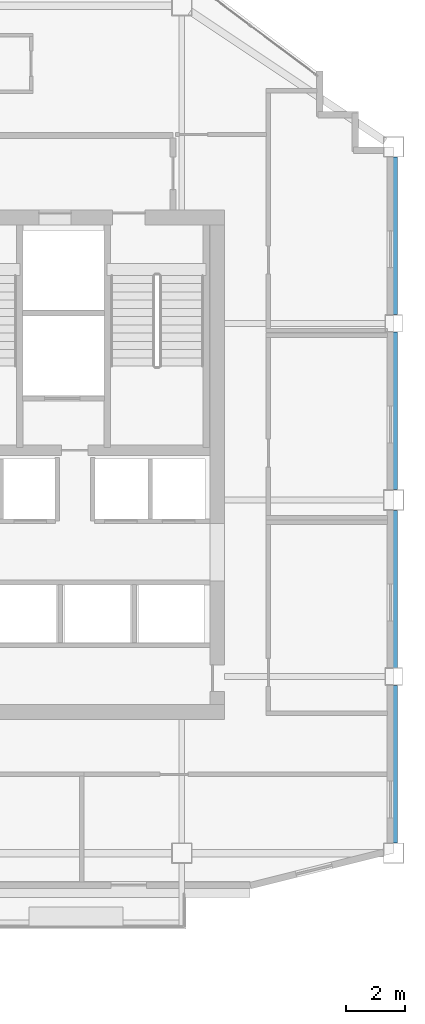
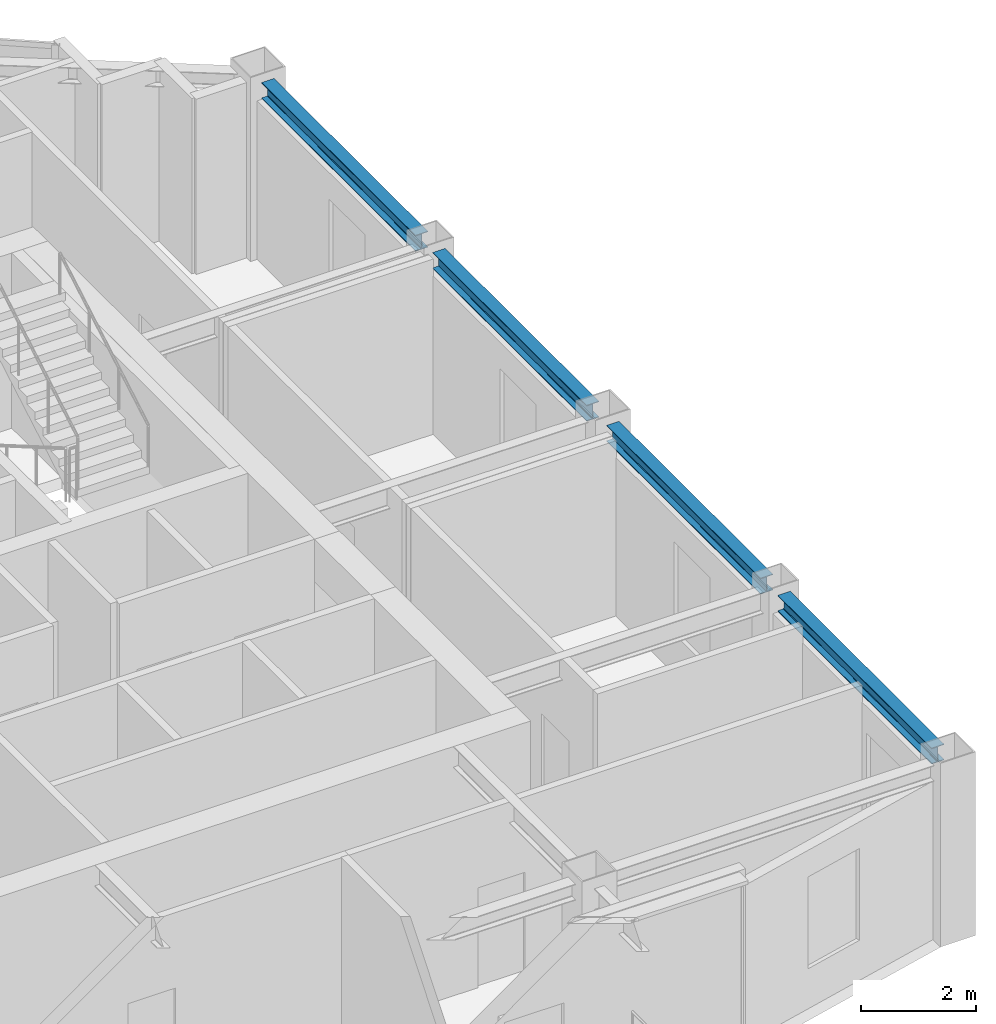
# One storey, part 3 of 12: 4 beams.
"""IFC4 building model written with IfcOpenShell, lengths in metres."""

from ifc_helpers import new_model, si_unit, direction, frame, origin, origin_2d, place, context, subcontext, project, spatial, i_section, extrude, material, material_profile, profile_set, type_object, element, save


model = new_model("IFC4")

# Units and contexts
model_context = context("Model", 3, precision=1e-05, world=origin(), true_north=direction((0.0, 1.0)))
body_context = subcontext(model_context, "Body", "Model", "MODEL_VIEW")
ifc_project = project(units=[si_unit("LENGTHUNIT", "METRE"), si_unit("AREAUNIT", "SQUARE_METRE"), si_unit("VOLUMEUNIT", "CUBIC_METRE"), si_unit("PLANEANGLEUNIT", "RADIAN"), si_unit("MASSUNIT", "GRAM", prefix="KILO")], contexts=[model_context])

# Site, building, storey
site_placement = place(None, origin())
site = spatial("IfcSite", under=ifc_project, at=site_placement, CompositionType="ELEMENT")
building_placement = place(site_placement, origin())
building = spatial("IfcBuilding", under=site, at=building_placement, Name="Haolan Belvedere Tower", CompositionType="ELEMENT")
storey_placement = place(building_placement, frame((0.0, 0.0, 282.199951171875)))
storey = spatial("IfcBuildingStorey", under=building, at=storey_placement, Name="L71", CompositionType="ELEMENT", Elevation=282.199951171875)

# Beams
ifc_material = material(Name="Steel Q355B", Category="steel")
ifc_material_profile = material_profile(ifc_material, i_section(OverallWidth=0.25, OverallDepth=0.340087890625, WebThickness=0.009033203125, FlangeThickness=0.013916015625, FilletRadius=0.02001953125, at=origin_2d()), Name="Steel Q355B")
ifc_profile_set = profile_set([ifc_material_profile], Name="Steel Q355B")
beam_type = type_object("IfcBeamType", Name="BM-HM340x250x9x14", PredefinedType="SPANDREL", material=ifc_profile_set)
for number, where, z_axis, x_axis, name in (
    (1, (52.800048828125, 21.949951171875, 3.550048828125), (0.0, 1.0, 0.0), (-1.0, 0.0, 0.0), "L71 spandrel girder MC-T3-SE-TC-T3-E1"),
    (2, (52.800048828125, 27.89990234375, 3.550048828125), (0.0, 1.0, 0.0), (-1.0, 0.0, 0.0), "L71 spandrel girder TC-T3-E1-MC-T3-ME"),
    (3, (52.800048828125, 33.949951171875, 3.550048828125), (0.0, 1.0, 0.0), (-1.0, 0.0, 0.0), "L71 spandrel girder MC-T3-ME-TC-T3-E2"),
    (4, (52.800048828125, 39.89990234375, 3.550048828125), (0.0, 1.0, 0.0), (-1.0, 0.0, 0.0), "L71 spandrel girder TC-T3-E2-MC-T3-NE"),
):
    element("IfcBeam", number, at=place(storey_placement, frame(where, z_axis=z_axis, x_axis=x_axis)), inside=storey, type_object=beam_type, Name=name, PredefinedType="SPANDREL", context=body_context, shape_type="SweptSolid", body=[
        extrude(i_section(OverallWidth=0.25, OverallDepth=0.340087890625, WebThickness=0.009033203125, FlangeThickness=0.013916015625, FilletRadius=0.02001953125, at=origin_2d()), origin(), (0.0, 0.0, 1.0), 5.35009765625),
    ])

save(model, "model.ifc")
